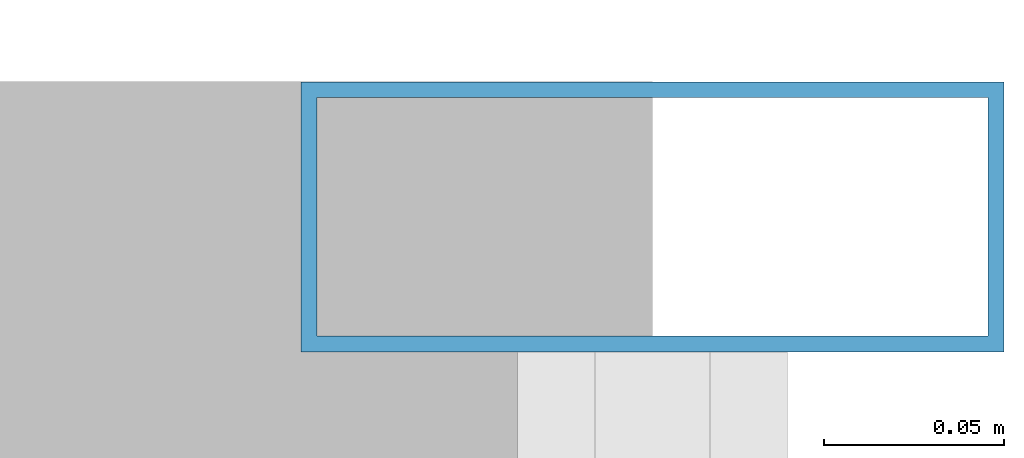
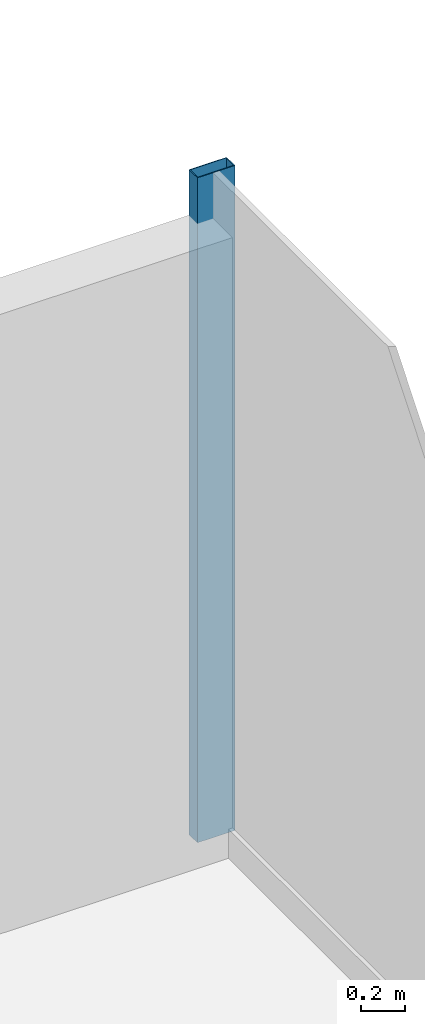
# One storey, part 18 of 25: 1 member, 1 element without a shape of its own.
"""IFC4 building model written with IfcOpenShell, lengths in metres."""

from ifc_helpers import new_model, si_unit, derived_unit, direction, frame, origin, origin_2d, place, context, subcontext, project, spatial, hollow_rectangle, extrude, source, transform, mapped, material, material_profile, profile_set, type_object, element, aggregate, save


model = new_model("IFC4")

# Units and contexts
model_context = context("Model", 3, precision=1e-05, world=origin(), true_north=direction((0.0, 1.0)))
body_context = subcontext(model_context, "Body", "Model", "MODEL_VIEW")
ifc_project = project(units=[si_unit("LENGTHUNIT", "METRE"), si_unit("AREAUNIT", "SQUARE_METRE"), si_unit("VOLUMEUNIT", "CUBIC_METRE"), si_unit("PLANEANGLEUNIT", "RADIAN"), si_unit("MASSUNIT", "GRAM", prefix="KILO"), derived_unit("THERMALTRANSMITTANCEUNIT", [(si_unit("POWERUNIT", "WATT"), 1), (si_unit("LENGTHUNIT", "METRE"), -2), (si_unit("THERMODYNAMICTEMPERATUREUNIT", "KELVIN"), -1)])], contexts=[model_context])

# Site, building, storey
site_placement = place(None, origin())
site = spatial("IfcSite", under=ifc_project, at=site_placement, CompositionType="ELEMENT")
building_placement = place(site_placement, origin())
building = spatial("IfcBuilding", under=site, at=building_placement, Name="Skarnbrae Concourse Arena and Tower", CompositionType="ELEMENT")
storey_placement = place(building_placement, frame((0.0, 0.0, 177.10009765625)))
storey = spatial("IfcBuildingStorey", under=building, at=storey_placement, Name="L45", CompositionType="ELEMENT", Elevation=177.10009765625)

# Curtain wall, member
ifc_material = material(Name="Bronze anodised aluminium 6063-T6", Category="aluminium")
curtain_wall_type = type_object("IfcCurtainWallType", Name="CW-SYS-04-MIDZONE", PredefinedType="USERDEFINED", material=ifc_material)
curtain_wall_placement = place(storey_placement, origin())
curtain_wall = element("IfcCurtainWall", 1, at=curtain_wall_placement, inside=storey, type_object=curtain_wall_type, Name="L45 Unitised curtain wall CW-L45-E04", ObjectType="UNITISED CURTAIN WALL", PredefinedType="USERDEFINED")
ifc_material_profile = material_profile(ifc_material, hollow_rectangle(XDim=0.074951171875, YDim=0.195068359375, WallThickness=0.00439453125, at=origin_2d()), Name="ALU-MULL-75X195")
ifc_profile_set = profile_set([ifc_material_profile], Name="Bronze anodised aluminium 6063-T6")
member_type = type_object("IfcMemberType", Name="CWM-CW-04", PredefinedType="MULLION", material=ifc_profile_set)
shared_shape = source(origin(), body_context, "Body", "SweptSolid", [
    extrude(hollow_rectangle(XDim=0.074951171875, YDim=0.195068359375, WallThickness=0.00439453125, at=origin_2d()), origin(), (0.0, 0.0, 1.0), 3.64990234375),
])
member_placement = place(storey_placement, frame((50.0, 32.96240234375, 0.0), z_axis=(0.0, 0.0, 1.0), x_axis=(0.0, 1.0, 0.0)))
member = element("IfcMember", 2, at=member_placement, type_object=member_type, Name="CW-L45-E04 Mullion 5", PredefinedType="MULLION", context=body_context, shape_type="MappedRepresentation", body=[
    mapped(shared_shape, transform((0.0, 0.0, 0.0))),
])
aggregate(curtain_wall, [member])

save(model, "model.ifc")
